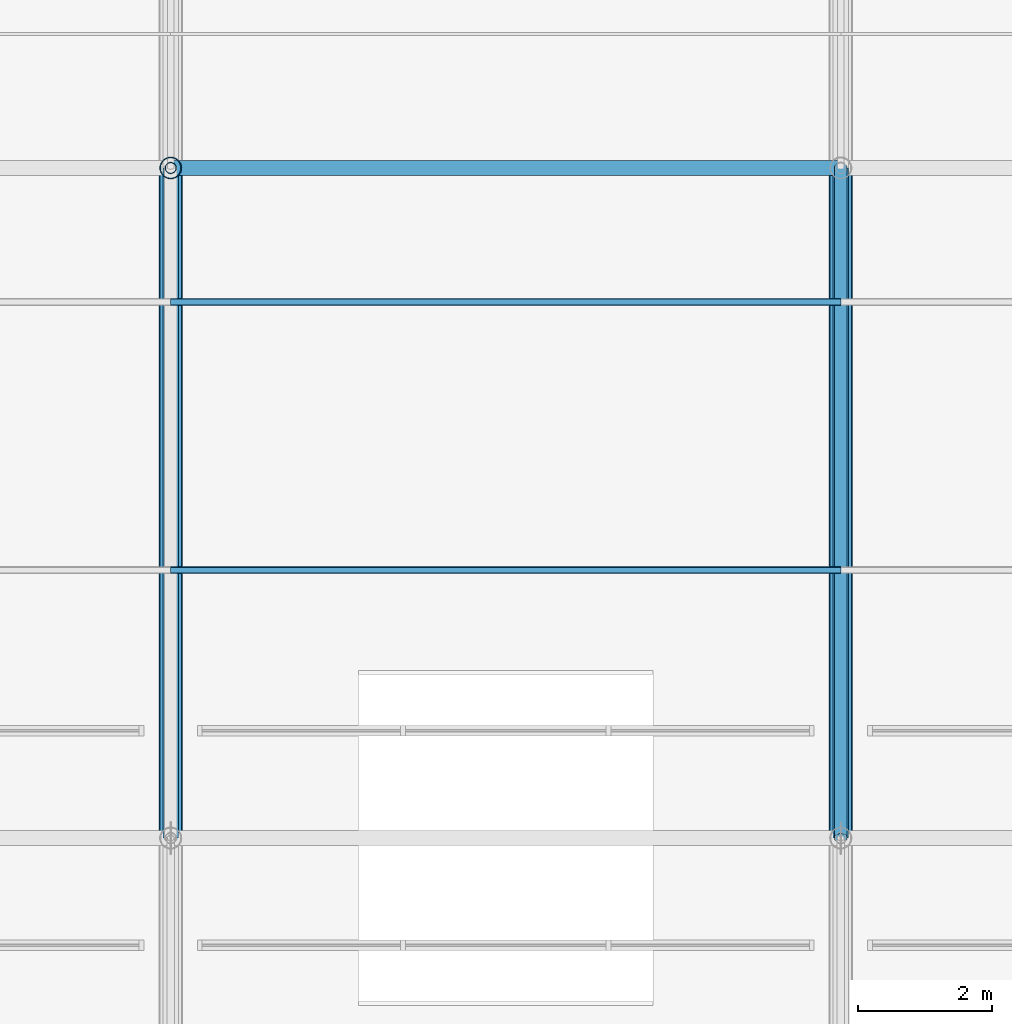
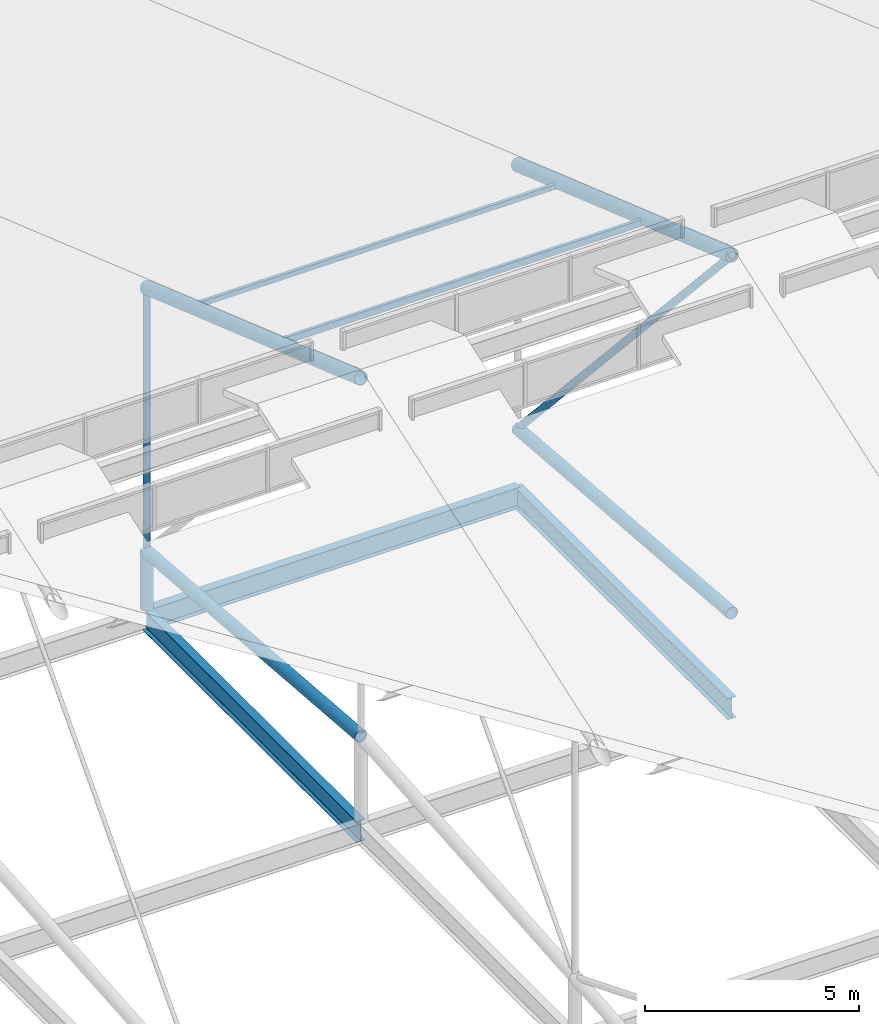
# One storey, part 39 of 93: 9 members, 3 beams.
"""IFC4 building model written with IfcOpenShell, lengths in metres."""

from ifc_helpers import new_model, si_unit, derived_unit, direction, frame, origin, origin_2d_with_axis, place, context, subcontext, project, spatial, hollow_rectangle, hollow_circle, i_section, extrude, material, material_profile, profile_set, type_object, element, save


model = new_model("IFC4")

# Units and contexts
model_context = context("Model", 3, precision=1e-05, world=origin(), true_north=direction((0.0, 1.0)))
body_context = subcontext(model_context, "Body", "Model", "MODEL_VIEW")
ifc_project = project(units=[si_unit("LENGTHUNIT", "METRE"), si_unit("AREAUNIT", "SQUARE_METRE"), si_unit("VOLUMEUNIT", "CUBIC_METRE"), si_unit("PLANEANGLEUNIT", "RADIAN"), si_unit("MASSUNIT", "GRAM", prefix="KILO"), derived_unit("THERMALTRANSMITTANCEUNIT", [(si_unit("POWERUNIT", "WATT"), 1), (si_unit("LENGTHUNIT", "METRE"), -2), (si_unit("THERMODYNAMICTEMPERATUREUNIT", "KELVIN"), -1)])], contexts=[model_context])

# Site, building, storey
site_placement = place(None, origin())
site = spatial("IfcSite", under=ifc_project, at=site_placement, CompositionType="ELEMENT")
building_placement = place(site_placement, origin())
building = spatial("IfcBuilding", under=site, at=building_placement, Name="Cinnabar Yard Market Hall", CompositionType="ELEMENT")
storey_placement = place(building_placement, frame((0.0, 0.0, 23.800048828125)))
storey = spatial("IfcBuildingStorey", under=building, at=storey_placement, Name="ROOF", CompositionType="ELEMENT", Elevation=23.800048828125)

# Beams
ifc_material_1 = material(Name="Steel Grade 300 (300 MPa)", Category="steel")
ifc_material_profile_1 = material_profile(ifc_material_1, i_section(OverallWidth=0.22802734375, OverallDepth=0.60205078125, WebThickness=0.010498046875, FlangeThickness=0.014892578125, FilletRadius=0.013916015625, at=origin_2d_with_axis()), Name="610UB101")
ifc_profile_set_1 = profile_set([ifc_material_profile_1], Name="Steel Grade 300 (300 MPa)")
beam_type = type_object("IfcBeamType", Name="BM-B02", PredefinedType="BEAM", material=ifc_profile_set_1)
for number, where, z_axis, x_axis, name in (
    (1, (106.0, 54.0, -9.700927734375), (1.0, 0.0, 0.0), (0.0, 1.0, 0.0), "Hall Longitudinal Tie Girder 00399"),
    (2, (106.0, 44.0, -9.700927734375), (0.0, 1.0, 0.0), (-1.0, 0.0, 0.0), "Hall Transverse Tie Girder 00426"),
    (3, (116.0, 44.0, -9.700927734375), (0.0, 1.0, 0.0), (-1.0, 0.0, 0.0), "Hall Transverse Tie Girder 00430"),
):
    element("IfcBeam", number, at=place(storey_placement, frame(where, z_axis=z_axis, x_axis=x_axis)), inside=storey, type_object=beam_type, Name=name, PredefinedType="BEAM", context=body_context, shape_type="SweptSolid", body=[
        extrude(i_section(OverallWidth=0.22802734375, OverallDepth=0.60205078125, WebThickness=0.010498046875, FlangeThickness=0.014892578125, FilletRadius=0.013916015625, at=origin_2d_with_axis()), origin(), (0.0, 0.0, 1.0), 10.0),
    ])

# Members
ifc_material_2 = material(Name="Cold-formed steel C350L0", Category="steel")
ifc_material_profile_2 = material_profile(ifc_material_2, hollow_circle(Radius=0.161865234375, WallThickness=0.009521484375, at=origin_2d_with_axis()), Name="323.9x9.5CHS")
ifc_profile_set_2 = profile_set([ifc_material_profile_2], Name="Cold-formed steel C350L0")
member_type_1 = type_object("IfcMemberType", Name="MB-BC01", PredefinedType="CHORD", material=ifc_profile_set_2)
for number, where, z_axis, x_axis, name in (
    (4, (106.0, 44.0, -7.0), (0.0, 0.99681489162, -0.07975005859), (-1.0, 0.0, 0.0), "Hall Truss 106 Bottom Chord 4"),
    (5, (116.0, 44.0, -7.0), (0.0, 0.99681489162, -0.07975005859), (-1.0, 0.0, 0.0), "Hall Truss 116 Bottom Chord 4"),
):
    element("IfcMember", number, at=place(storey_placement, frame(where, z_axis=z_axis, x_axis=x_axis)), inside=storey, type_object=member_type_1, Name=name, PredefinedType="CHORD", context=body_context, shape_type="SweptSolid", body=[
        extrude(hollow_circle(Radius=0.161865234375, WallThickness=0.009521484375, at=origin_2d_with_axis()), origin(), (0.0, 0.0, 1.0), 10.031982421875),
    ])
ifc_material_profile_3 = material_profile(ifc_material_2, hollow_circle(Radius=0.096923828125, WallThickness=0.00634765625, at=origin_2d_with_axis()), Name="193.7x6.4CHS")
ifc_profile_set_3 = profile_set([ifc_material_profile_3], Name="Cold-formed steel C350L0")
member_type_2 = type_object("IfcMemberType", Name="MB-DG04", PredefinedType="BRACE", material=ifc_profile_set_3)
member_1_placement = place(storey_placement, frame((116.0, 44.0, 3.199951171875), z_axis=(0.0, 0.672672793996, -0.739940073396), x_axis=(-1.0, 0.0, 0.0)))
element("IfcMember", 6, at=member_1_placement, inside=storey, type_object=member_type_2, Name="Hall Truss 116 Diagonal 4", PredefinedType="BRACE", context=body_context, shape_type="SweptSolid", body=[
    extrude(hollow_circle(Radius=0.096923828125, WallThickness=0.00634765625, at=origin_2d_with_axis()), origin(), (0.0, 0.0, 1.0), 14.865966796875),
])
ifc_material_profile_4 = material_profile(ifc_material_2, hollow_rectangle(XDim=0.10009765625, YDim=0.199951171875, WallThickness=0.008056640625, InnerFilletRadius=0.008056640625, OuterFilletRadius=0.01611328125, at=origin_2d_with_axis()), Name="200x100x8.0RHS")
ifc_profile_set_4 = profile_set([ifc_material_profile_4], Name="Cold-formed steel C350L0")
member_type_3 = type_object("IfcMemberType", Name="MB-PU08", PredefinedType="PURLIN", material=ifc_profile_set_4)
member_2_placement = place(storey_placement, frame((106.0, 48.0, 1.767578125), z_axis=(1.0, 0.0, 0.0), x_axis=(0.0, 1.0, 0.0)))
element("IfcMember", 7, at=member_2_placement, inside=storey, type_object=member_type_3, Name="Hall Roof Purlin Y48 X106", PredefinedType="PURLIN", context=body_context, shape_type="SweptSolid", body=[
    extrude(hollow_rectangle(XDim=0.10009765625, YDim=0.199951171875, WallThickness=0.008056640625, InnerFilletRadius=0.008056640625, OuterFilletRadius=0.01611328125, at=origin_2d_with_axis()), origin(), (0.0, 0.0, 1.0), 10.0),
])
ifc_material_profile_5 = material_profile(ifc_material_2, hollow_rectangle(XDim=0.10009765625, YDim=0.14990234375, WallThickness=0.006103515625, InnerFilletRadius=0.006103515625, OuterFilletRadius=0.011962890625, at=origin_2d_with_axis()), Name="150x100x6.0RHS")
ifc_profile_set_5 = profile_set([ifc_material_profile_5], Name="Cold-formed steel C350L0")
member_type_4 = type_object("IfcMemberType", Name="MB-PU09", PredefinedType="PURLIN", material=ifc_profile_set_5)
member_3_placement = place(storey_placement, frame((106.0, 52.0, 0.37548828125), z_axis=(1.0, 0.0, 0.0), x_axis=(0.0, 1.0, 0.0)))
element("IfcMember", 8, at=member_3_placement, inside=storey, type_object=member_type_4, Name="Hall Roof Purlin Y52 X106", PredefinedType="PURLIN", context=body_context, shape_type="SweptSolid", body=[
    extrude(hollow_rectangle(XDim=0.10009765625, YDim=0.14990234375, WallThickness=0.006103515625, InnerFilletRadius=0.006103515625, OuterFilletRadius=0.011962890625, at=origin_2d_with_axis()), origin(), (0.0, 0.0, 1.0), 10.0),
])
ifc_material_3 = material(Name="Spotted-gum glulam-clad steel Grade 350 (350 MPa)", Category="steel")
ifc_material_profile_6 = material_profile(ifc_material_3, hollow_circle(Radius=0.161865234375, WallThickness=0.009521484375, at=origin_2d_with_axis()), Name="323.9x9.5CHS")
ifc_profile_set_6 = profile_set([ifc_material_profile_6], Name="Spotted-gum glulam-clad steel Grade 350 (350 MPa)")
member_type_5 = type_object("IfcMemberType", Name="MB-ST01", PredefinedType="STRUT", material=ifc_profile_set_6)
member_4_placement = place(storey_placement, frame((106.0, 54.0, -9.400146484375), z_axis=(0.0, 0.0, 1.0), x_axis=(1.0, 0.0, 0.0)))
element("IfcMember", 9, at=member_4_placement, inside=storey, type_object=member_type_5, Name="Truss Bearing Post 106-54", PredefinedType="STRUT", context=body_context, shape_type="SweptSolid", body=[
    extrude(hollow_circle(Radius=0.161865234375, WallThickness=0.009521484375, at=origin_2d_with_axis()), origin(), (0.0, 0.0, 1.0), 1.60009765625),
])
ifc_material_profile_7 = material_profile(ifc_material_2, hollow_circle(Radius=0.177734375, WallThickness=0.0126953125, at=origin_2d_with_axis()), Name="355.6x12.7CHS")
ifc_profile_set_7 = profile_set([ifc_material_profile_7], Name="Cold-formed steel C350L0")
member_type_6 = type_object("IfcMemberType", Name="MB-TC01", PredefinedType="CHORD", material=ifc_profile_set_7)
for number, where, z_axis, x_axis, name in (
    (10, (106.0, 44.0, 3.199951171875), (0.0, 0.944424919483, -0.328727199147), (-1.0, 0.0, 0.0), "Hall Truss 106 Top Chord 4"),
    (11, (116.0, 44.0, 3.199951171875), (0.0, 0.944424919483, -0.328727199147), (-1.0, 0.0, 0.0), "Hall Truss 116 Top Chord 4"),
):
    element("IfcMember", number, at=place(storey_placement, frame(where, z_axis=z_axis, x_axis=x_axis)), inside=storey, type_object=member_type_6, Name=name, PredefinedType="CHORD", context=body_context, shape_type="SweptSolid", body=[
        extrude(hollow_circle(Radius=0.177734375, WallThickness=0.0126953125, at=origin_2d_with_axis()), origin(), (0.0, 0.0, 1.0), 10.58837890625),
    ])
ifc_material_profile_8 = material_profile(ifc_material_2, hollow_circle(Radius=0.084228515625, WallThickness=0.00634765625, at=origin_2d_with_axis()), Name="168.3x6.4CHS")
ifc_profile_set_8 = profile_set([ifc_material_profile_8], Name="Cold-formed steel C350L0")
member_type_7 = type_object("IfcMemberType", Name="MB-WB01", PredefinedType="STRUT", material=ifc_profile_set_8)
member_5_placement = place(storey_placement, frame((106.0, 54.0, -7.800048828125), z_axis=(0.0, 0.0, 1.0), x_axis=(1.0, 0.0, 0.0)))
element("IfcMember", 12, at=member_5_placement, inside=storey, type_object=member_type_7, Name="Hall Truss 106 Post 4", PredefinedType="STRUT", context=body_context, shape_type="SweptSolid", body=[
    extrude(hollow_circle(Radius=0.084228515625, WallThickness=0.00634765625, at=origin_2d_with_axis()), origin(), (0.0, 0.0, 1.0), 7.519287109375),
])

save(model, "model.ifc")
